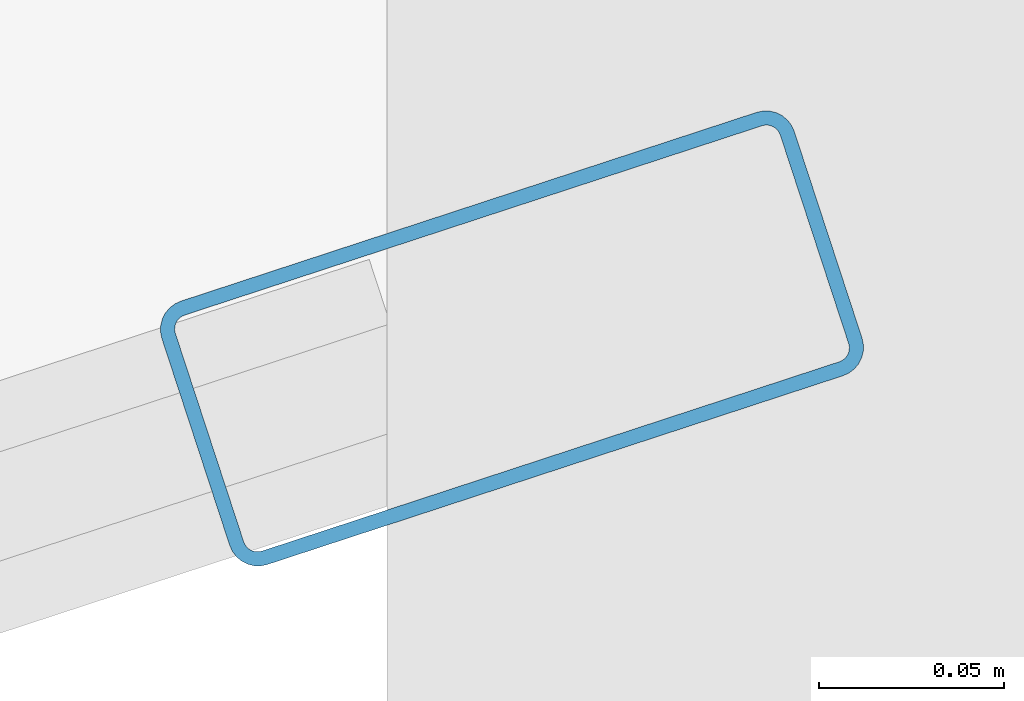
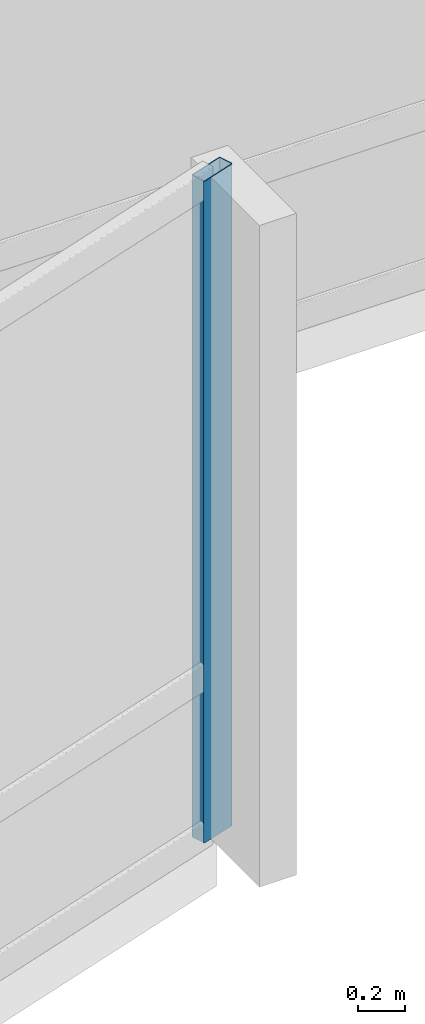
# One storey, part 10 of 34: 1 member, 1 element without a shape of its own.
"""IFC4 building model written with IfcOpenShell, lengths in metres."""

from ifc_helpers import new_model, si_unit, direction, frame, origin, origin_2d, place, context, subcontext, project, spatial, hollow_rectangle, extrude, material, layer, layer_set, material_profile, profile_set, type_object, element, aggregate, save


model = new_model("IFC4")

# Units and contexts
model_context = context("Model", 3, precision=1e-05, world=origin(), true_north=direction((0.0, 1.0)))
body_context = subcontext(model_context, "Body", "Model", "MODEL_VIEW")
ifc_project = project(units=[si_unit("LENGTHUNIT", "METRE"), si_unit("AREAUNIT", "SQUARE_METRE"), si_unit("VOLUMEUNIT", "CUBIC_METRE"), si_unit("PLANEANGLEUNIT", "RADIAN"), si_unit("MASSUNIT", "GRAM", prefix="KILO")], contexts=[model_context])

# Site, building, storey
site_placement = place(None, origin())
site = spatial("IfcSite", under=ifc_project, at=site_placement, CompositionType="ELEMENT")
building_placement = place(site_placement, origin())
building = spatial("IfcBuilding", under=site, at=building_placement, Name="Solvaryn Broadcast Tower", CompositionType="ELEMENT")
storey_placement = place(building_placement, frame((0.0, 0.0, 47.10009765625)))
storey = spatial("IfcBuildingStorey", under=building, at=storey_placement, Name="L10", CompositionType="ELEMENT", Elevation=47.10009765625)

# Curtain wall, member
ifc_material_1 = material(Name="Aluminium and Terracotta Unitised Curtain Wall", Category="masonry")
ifc_layer = layer(ifc_material_1, 0.199951171875)
ifc_layer_set = layer_set([ifc_layer], Name="CW-SYS2-LOWMID")
curtain_wall_type = type_object("IfcCurtainWallType", Name="CW-SYS2-LOWMID", PredefinedType="NOTDEFINED", material=ifc_layer_set)
curtain_wall_placement = place(storey_placement, origin())
curtain_wall = element("IfcCurtainWall", 1, at=curtain_wall_placement, inside=storey, type_object=curtain_wall_type, Name="L10 Curtain Wall DR4", PredefinedType="NOTDEFINED")
ifc_material_2 = material(Name="Anodised Aluminium 6063-T6", Category="aluminium")
ifc_material_profile = material_profile(ifc_material_2, hollow_rectangle(XDim=0.074951171875, YDim=0.179931640625, WallThickness=0.00390625, InnerFilletRadius=0.00390625, OuterFilletRadius=0.008056640625, at=origin_2d()))
ifc_profile_set = profile_set([ifc_material_profile], Name="Anodised Aluminium 6063-T6")
member_type = type_object("IfcMemberType", Name="CW-MUL-180", PredefinedType="MULLION", material=ifc_profile_set)
member_placement = place(storey_placement, frame((45.987548828125, 5.90673828125, 0.0), z_axis=(0.0, 0.0, 1.0), x_axis=(-0.311594044587, 0.950215318429, 0.0)))
member = element("IfcMember", 2, at=member_placement, type_object=member_type, Name="CWS2 mullion 2", PredefinedType="MULLION", context=body_context, shape_type="SweptSolid", body=[
    extrude(hollow_rectangle(XDim=0.074951171875, YDim=0.179931640625, WallThickness=0.00390625, InnerFilletRadius=0.00390625, OuterFilletRadius=0.008056640625, at=origin_2d()), origin(), (0.0, 0.0, 1.0), 3.419921875),
])
aggregate(curtain_wall, [member])

save(model, "model.ifc")
